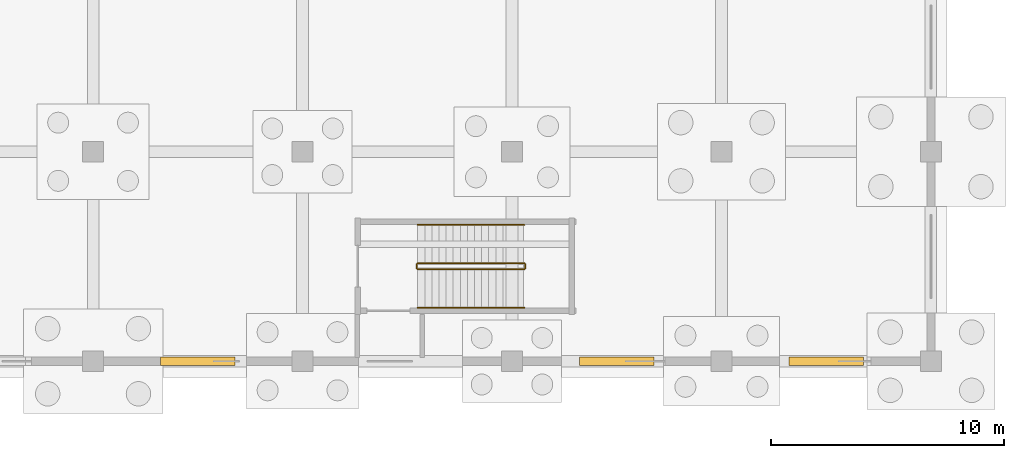
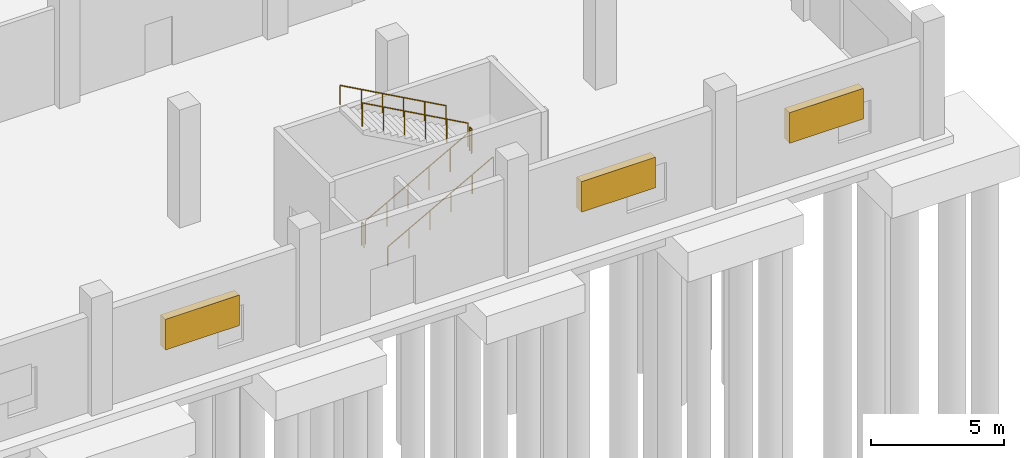
# One storey, part 75 of 103: 6 railings, 3 shading devices.
"""IFC4 building model written with IfcOpenShell, lengths in metres."""

from ifc_helpers import new_model, si_unit, direction, frame, origin, origin_2d, place, context, subcontext, project, spatial, rectangle, circle, extrude, material, layer, layer_set, type_object, element, save


model = new_model("IFC4")

# Units and contexts
model_context = context("Model", 3, precision=1e-05, world=origin(), true_north=direction((0.0, 1.0)))
body_context = subcontext(model_context, "Body", "Model", "MODEL_VIEW")
ifc_project = project(units=[si_unit("LENGTHUNIT", "METRE"), si_unit("AREAUNIT", "SQUARE_METRE"), si_unit("VOLUMEUNIT", "CUBIC_METRE"), si_unit("PLANEANGLEUNIT", "RADIAN"), si_unit("MASSUNIT", "GRAM", prefix="KILO")], contexts=[model_context])

# Site, building, storey
site_placement = place(None, origin())
site = spatial("IfcSite", under=ifc_project, at=site_placement, CompositionType="ELEMENT")
building_placement = place(site_placement, origin())
building = spatial("IfcBuilding", under=site, at=building_placement, Name="Zevraka Park Crest Stadium", CompositionType="ELEMENT")
storey_placement = place(building_placement, origin())
storey = spatial("IfcBuildingStorey", under=building, at=storey_placement, Name="L00", CompositionType="ELEMENT", Elevation=0.0)

# Railings
ifc_material_1 = material(Name="Powder-coated tubular steel stairwell guard", Category="steel")
railing_type_1 = type_object("IfcRailingType", Name="GR03", PredefinedType="GUARDRAIL", material=ifc_material_1)
railing_1_placement = place(storey_placement, frame((201.949951171875, 3.949951171875, 0.168701171875)))
element("IfcRailing", 1, at=railing_1_placement, inside=storey, type_object=railing_type_1, Name="L00 ST54 stair guard 1", PredefinedType="GUARDRAIL", context=body_context, shape_type="SweptSolid", body=[
    extrude(circle(Radius=0.02392578125, at=origin_2d()), frame((0.0, 0.0, 1.076171875), z_axis=(0.874999533545, 0.0, 0.484123761342), x_axis=(0.0, 1.0, 0.0)), (0.0, 0.0, 1.0), 5.228515625),
    extrude(circle(Radius=0.02099609375, at=origin_2d()), origin(), (0.0, 0.0, 1.0), 1.052001953125),
    extrude(circle(Radius=0.02099609375, at=origin_2d()), frame((0.9150390625, 0.0, 0.50634765625)), (0.0, 0.0, 1.0), 1.052001953125),
    extrude(circle(Radius=0.02099609375, at=origin_2d()), frame((1.830078125, 0.0, 1.012451171875)), (0.0, 0.0, 1.0), 1.052001953125),
    extrude(circle(Radius=0.02099609375, at=origin_2d()), frame((2.744873046875, 0.0, 1.518798828125)), (0.0, 0.0, 1.0), 1.052001953125),
    extrude(circle(Radius=0.02099609375, at=origin_2d()), frame((3.659912109375, 0.0, 2.02490234375)), (0.0, 0.0, 1.0), 1.052001953125),
    extrude(circle(Radius=0.02099609375, at=origin_2d()), frame((4.574951171875, 0.0, 2.53125)), (0.0, 0.0, 1.0), 1.052001953125),
])
railing_2_placement = place(storey_placement, frame((206.574951171875, 4.0, 2.699951171875)))
element("IfcRailing", 2, at=railing_2_placement, inside=storey, type_object=railing_type_1, Name="L00 ST54 stair guard 2", PredefinedType="GUARDRAIL", context=body_context, shape_type="SweptSolid", body=[
    extrude(circle(Radius=0.02392578125, at=origin_2d()), frame((0.0, 0.0, 1.076171875), z_axis=(0.0, 1.0, 0.0), x_axis=(-1.0, 0.0, 0.0)), (0.0, 0.0, 1.0), 0.159912109375),
    extrude(circle(Radius=0.02099609375, at=origin_2d()), origin(), (0.0, 0.0, 1.0), 1.052001953125),
    extrude(circle(Radius=0.02099609375, at=origin_2d()), frame((0.0, 0.159912109375, 0.0)), (0.0, 0.0, 1.0), 1.052001953125),
])
railing_3_placement = place(storey_placement, frame((206.52490234375, 4.2099609375, 2.86865234375)))
element("IfcRailing", 3, at=railing_3_placement, inside=storey, type_object=railing_type_1, Name="L00 ST54 stair guard 3", PredefinedType="GUARDRAIL", context=body_context, shape_type="SweptSolid", body=[
    extrude(circle(Radius=0.02392578125, at=origin_2d()), frame((0.0, 0.0, 1.076171875), z_axis=(-0.874999533545, 0.0, 0.484123761342), x_axis=(0.0, -1.0, 0.0)), (0.0, 0.0, 1.0), 5.228515625),
    extrude(circle(Radius=0.02099609375, at=origin_2d()), origin(), (0.0, 0.0, 1.0), 1.052001953125),
    extrude(circle(Radius=0.02099609375, at=origin_2d()), frame((-0.9150390625, 0.0, 0.50634765625)), (0.0, 0.0, 1.0), 1.052001953125),
    extrude(circle(Radius=0.02099609375, at=origin_2d()), frame((-1.830078125, 0.0, 1.012451171875)), (0.0, 0.0, 1.0), 1.052001953125),
    extrude(circle(Radius=0.02099609375, at=origin_2d()), frame((-2.744873046875, 0.0, 1.518798828125)), (0.0, 0.0, 1.0), 1.052001953125),
    extrude(circle(Radius=0.02099609375, at=origin_2d()), frame((-3.659912109375, 0.0, 2.02490234375)), (0.0, 0.0, 1.0), 1.052001953125),
    extrude(circle(Radius=0.02099609375, at=origin_2d()), frame((-4.574951171875, 0.0, 2.53125)), (0.0, 0.0, 1.0), 1.052001953125),
])
railing_4_placement = place(storey_placement, frame((201.89990234375, 4.0, 0.0)))
element("IfcRailing", 4, at=railing_4_placement, inside=storey, type_object=railing_type_1, Name="L00 ST54 stair guard 4", PredefinedType="GUARDRAIL", context=body_context, shape_type="SweptSolid", body=[
    extrude(circle(Radius=0.02392578125, at=origin_2d()), frame((0.0, 0.0, 1.076171875), z_axis=(0.0, 1.0, 0.0), x_axis=(-1.0, 0.0, 0.0)), (0.0, 0.0, 1.0), 0.159912109375),
    extrude(circle(Radius=0.02099609375, at=origin_2d()), origin(), (0.0, 0.0, 1.0), 1.052001953125),
    extrude(circle(Radius=0.02099609375, at=origin_2d()), frame((0.0, 0.159912109375, 0.0)), (0.0, 0.0, 1.0), 1.052001953125),
])
ifc_material_2 = material(Name="Brushed stainless steel continuous handrail", Category="steel")
railing_type_2 = type_object("IfcRailingType", Name="HR01", PredefinedType="HANDRAIL", material=ifc_material_2)
railing_5_placement = place(storey_placement, frame((201.949951171875, 2.300048828125, 0.168701171875)))
element("IfcRailing", 5, at=railing_5_placement, inside=storey, type_object=railing_type_2, Name="L00 ST54 stair handrail 1", PredefinedType="HANDRAIL", context=body_context, shape_type="SweptSolid", body=[
    extrude(circle(Radius=0.02392578125, at=origin_2d()), frame((0.0, 0.0, 0.8759765625), z_axis=(0.874999533545, 0.0, 0.484123761342), x_axis=(0.0, 1.0, 0.0)), (0.0, 0.0, 1.0), 5.228515625),
    extrude(circle(Radius=0.02099609375, at=origin_2d()), origin(), (0.0, 0.0, 1.0), 0.851806640625),
    extrude(circle(Radius=0.02099609375, at=origin_2d()), frame((0.9150390625, 0.0, 0.50634765625)), (0.0, 0.0, 1.0), 0.851806640625),
    extrude(circle(Radius=0.02099609375, at=origin_2d()), frame((1.830078125, 0.0, 1.012451171875)), (0.0, 0.0, 1.0), 0.851806640625),
    extrude(circle(Radius=0.02099609375, at=origin_2d()), frame((2.744873046875, 0.0, 1.518798828125)), (0.0, 0.0, 1.0), 0.851806640625),
    extrude(circle(Radius=0.02099609375, at=origin_2d()), frame((3.659912109375, 0.0, 2.02490234375)), (0.0, 0.0, 1.0), 0.851806640625),
    extrude(circle(Radius=0.02099609375, at=origin_2d()), frame((4.574951171875, 0.0, 2.53125)), (0.0, 0.0, 1.0), 0.851806640625),
])
railing_6_placement = place(storey_placement, frame((206.52490234375, 5.860107421875, 2.86865234375)))
element("IfcRailing", 6, at=railing_6_placement, inside=storey, type_object=railing_type_2, Name="L00 ST54 stair handrail 2", PredefinedType="HANDRAIL", context=body_context, shape_type="SweptSolid", body=[
    extrude(circle(Radius=0.02392578125, at=origin_2d()), frame((0.0, 0.0, 0.8759765625), z_axis=(-0.874999533545, 0.0, 0.484123761342), x_axis=(0.0, -1.0, 0.0)), (0.0, 0.0, 1.0), 5.228515625),
    extrude(circle(Radius=0.02099609375, at=origin_2d()), origin(), (0.0, 0.0, 1.0), 0.851806640625),
    extrude(circle(Radius=0.02099609375, at=origin_2d()), frame((-0.9150390625, 0.0, 0.50634765625)), (0.0, 0.0, 1.0), 0.851806640625),
    extrude(circle(Radius=0.02099609375, at=origin_2d()), frame((-1.830078125, 0.0, 1.012451171875)), (0.0, 0.0, 1.0), 0.851806640625),
    extrude(circle(Radius=0.02099609375, at=origin_2d()), frame((-2.744873046875, 0.0, 1.518798828125)), (0.0, 0.0, 1.0), 0.851806640625),
    extrude(circle(Radius=0.02099609375, at=origin_2d()), frame((-3.659912109375, 0.0, 2.02490234375)), (0.0, 0.0, 1.0), 0.851806640625),
    extrude(circle(Radius=0.02099609375, at=origin_2d()), frame((-4.574951171875, 0.0, 2.53125)), (0.0, 0.0, 1.0), 0.851806640625),
])

# Shading devices
ifc_material_3 = material(Name="Terracotta and bronze acoustic ventilation louvre", Category="masonry")
ifc_layer = layer(ifc_material_3, 0.080078125)
ifc_layer_set = layer_set([ifc_layer], Name="Terracotta and bronze acoustic ventilation louvre")
shading_device_type = type_object("IfcShadingDeviceType", Name="LVR01", PredefinedType="USERDEFINED", material=ifc_layer_set)
for number, where, z_axis, x_axis, name in (
    (7, (219.5, 0.0, 1.699951171875), (0.0, 0.0, 1.0), (-1.0, 0.0, 0.0), "Plant Ventilation Louvre LVR01 L00-1"),
    (8, (210.5, 0.0, 1.699951171875), (0.0, 0.0, 1.0), (-1.0, 0.0, 0.0), "Plant Ventilation Louvre LVR01 L00-2"),
    (9, (192.5, 0.0, 1.699951171875), (0.0, 0.0, 1.0), (-1.0, 0.0, 0.0), "Plant Ventilation Louvre LVR01 L00-4"),
):
    element("IfcShadingDevice", number, at=place(storey_placement, frame(where, z_axis=z_axis, x_axis=x_axis)), inside=storey, type_object=shading_device_type, Name=name, ObjectType="LOUVRE", PredefinedType="USERDEFINED", context=body_context, shape_type="SweptSolid", body=[
        extrude(rectangle(XDim=3.199951171875, YDim=0.360107421875, at=origin_2d()), origin(), (0.0, 0.0, 1.0), 1.39990234375),
    ])

save(model, "model.ifc")
